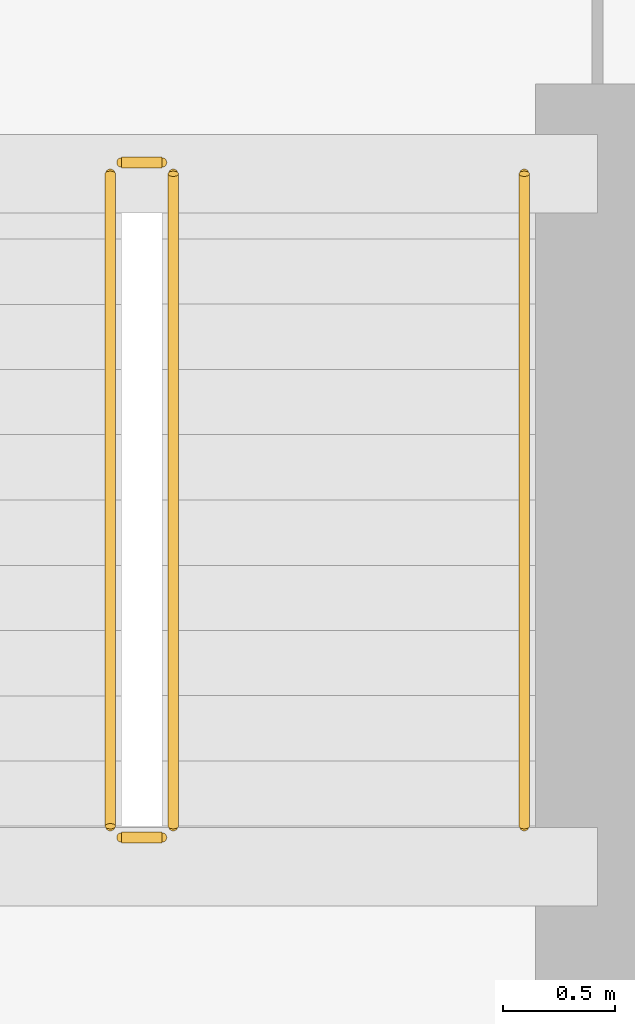
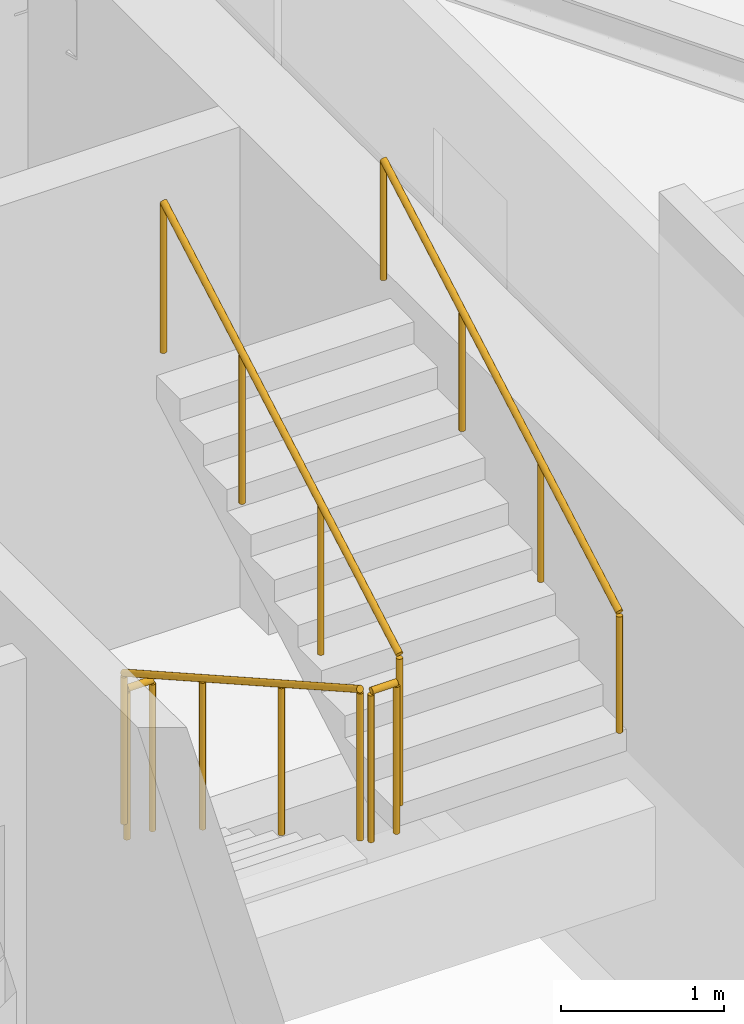
# One storey, part 9 of 9: 5 railings.
"""IFC4 building model written with IfcOpenShell, lengths in metres."""

from ifc_helpers import new_model, si_unit, direction, frame, origin, origin_2d, place, context, subcontext, project, spatial, circle, extrude, material, type_object, element, save


model = new_model("IFC4")

# Units and contexts
model_context = context("Model", 3, precision=1e-05, world=origin(), true_north=direction((0.0, 1.0)))
body_context = subcontext(model_context, "Body", "Model", "MODEL_VIEW")
ifc_project = project(units=[si_unit("LENGTHUNIT", "METRE"), si_unit("AREAUNIT", "SQUARE_METRE"), si_unit("VOLUMEUNIT", "CUBIC_METRE"), si_unit("PLANEANGLEUNIT", "RADIAN"), si_unit("MASSUNIT", "GRAM", prefix="KILO")], contexts=[model_context])

# Site, building, storey
site_placement = place(None, origin())
site = spatial("IfcSite", under=ifc_project, at=site_placement, CompositionType="ELEMENT")
building_placement = place(site_placement, origin())
building = spatial("IfcBuilding", under=site, at=building_placement, Name="Calvemar Wedge Station Tower", CompositionType="ELEMENT")
storey_placement = place(building_placement, frame((0.0, 0.0, 274.5)))
storey = spatial("IfcBuildingStorey", under=building, at=storey_placement, Name="L70", CompositionType="ELEMENT", Elevation=274.5)

# Railings
ifc_material_1 = material(Name="Stainless steel AISI 316L", Category="steel")
railing_type_1 = type_object("IfcRailingType", Name="RL-HANDRAIL-920", PredefinedType="HANDRAIL", material=ifc_material_1)
railing_1_placement = place(storey_placement, frame((30.949951171875, 38.25, 1.963623046875)))
element("IfcRailing", 1, at=railing_1_placement, inside=storey, type_object=railing_type_1, Name="L70 ST-C2 stair handrail 2", PredefinedType="HANDRAIL", context=body_context, shape_type="SweptSolid", body=[
    extrude(circle(Radius=0.02392578125, at=origin_2d()), frame((0.0, 0.0, 0.89599609375), z_axis=(0.0, 0.870897200241, 0.491465224214), x_axis=(-1.0, 0.0, 0.0)), (0.0, 0.0, 1.0), 3.329833984375),
    extrude(circle(Radius=0.02099609375, at=origin_2d()), origin(), (0.0, 0.0, 1.0), 0.871826171875),
    extrude(circle(Radius=0.02099609375, at=origin_2d()), frame((0.0, 0.966552734375, 0.54541015625)), (0.0, 0.0, 1.0), 0.871826171875),
    extrude(circle(Radius=0.02099609375, at=origin_2d()), frame((0.0, 1.933349609375, 1.091064453125)), (0.0, 0.0, 1.0), 0.871826171875),
    extrude(circle(Radius=0.02099609375, at=origin_2d()), frame((0.0, 2.89990234375, 1.636474609375)), (0.0, 0.0, 1.0), 0.871826171875),
])
ifc_material_2 = material(Name="Painted steel guardrail ASTM A500 Grade C", Category="steel")
railing_type_2 = type_object("IfcRailingType", Name="RL-STAIR-GUARD-1150", PredefinedType="GUARDRAIL", material=ifc_material_2)
railing_2_placement = place(storey_placement, frame((29.110107421875, 41.14990234375, 0.16357421875)))
element("IfcRailing", 2, at=railing_2_placement, inside=storey, type_object=railing_type_2, Name="L70 ST-C2 stair guard 1", PredefinedType="GUARDRAIL", context=body_context, shape_type="SweptSolid", body=[
    extrude(circle(Radius=0.02392578125, at=origin_2d()), frame((0.0, 0.0, 1.1259765625), z_axis=(0.0, -0.870897200241, 0.491465224214), x_axis=(1.0, 0.0, 0.0)), (0.0, 0.0, 1.0), 3.329833984375),
    extrude(circle(Radius=0.02099609375, at=origin_2d()), origin(), (0.0, 0.0, 1.0), 1.101806640625),
    extrude(circle(Radius=0.02099609375, at=origin_2d()), frame((0.0, -0.966552734375, 0.54541015625)), (0.0, 0.0, 1.0), 1.101806640625),
    extrude(circle(Radius=0.02099609375, at=origin_2d()), frame((0.0, -1.933349609375, 1.091064453125)), (0.0, 0.0, 1.0), 1.101806640625),
    extrude(circle(Radius=0.02099609375, at=origin_2d()), frame((0.0, -2.89990234375, 1.636474609375)), (0.0, 0.0, 1.0), 1.101806640625),
])
railing_3_placement = place(storey_placement, frame((29.159912109375, 38.199951171875, 1.800048828125)))
element("IfcRailing", 3, at=railing_3_placement, inside=storey, type_object=railing_type_2, Name="L70 ST-C2 stair guard 2", PredefinedType="GUARDRAIL", context=body_context, shape_type="SweptSolid", body=[
    extrude(circle(Radius=0.02392578125, at=origin_2d()), frame((0.0, 0.0, 1.1259765625), z_axis=(1.0, 0.0, 0.0), x_axis=(0.0, 1.0, 0.0)), (0.0, 0.0, 1.0), 0.18017578125),
    extrude(circle(Radius=0.02099609375, at=origin_2d()), origin(), (0.0, 0.0, 1.0), 1.101806640625),
    extrude(circle(Radius=0.02099609375, at=origin_2d()), frame((0.18017578125, 0.0, 0.0)), (0.0, 0.0, 1.0), 1.101806640625),
])
railing_4_placement = place(storey_placement, frame((29.389892578125, 38.25, 1.963623046875)))
element("IfcRailing", 4, at=railing_4_placement, inside=storey, type_object=railing_type_2, Name="L70 ST-C2 stair guard 3", PredefinedType="GUARDRAIL", context=body_context, shape_type="SweptSolid", body=[
    extrude(circle(Radius=0.02392578125, at=origin_2d()), frame((0.0, 0.0, 1.1259765625), z_axis=(0.0, 0.870897200241, 0.491465224214), x_axis=(-1.0, 0.0, 0.0)), (0.0, 0.0, 1.0), 3.329833984375),
    extrude(circle(Radius=0.02099609375, at=origin_2d()), origin(), (0.0, 0.0, 1.0), 1.101806640625),
    extrude(circle(Radius=0.02099609375, at=origin_2d()), frame((0.0, 0.966552734375, 0.54541015625)), (0.0, 0.0, 1.0), 1.101806640625),
    extrude(circle(Radius=0.02099609375, at=origin_2d()), frame((0.0, 1.933349609375, 1.091064453125)), (0.0, 0.0, 1.0), 1.101806640625),
    extrude(circle(Radius=0.02099609375, at=origin_2d()), frame((0.0, 2.89990234375, 1.636474609375)), (0.0, 0.0, 1.0), 1.101806640625),
])
railing_5_placement = place(storey_placement, frame((29.159912109375, 41.199951171875, 0.0)))
element("IfcRailing", 5, at=railing_5_placement, inside=storey, type_object=railing_type_2, Name="L70 ST-C2 stair guard 4", PredefinedType="GUARDRAIL", context=body_context, shape_type="SweptSolid", body=[
    extrude(circle(Radius=0.02392578125, at=origin_2d()), frame((0.0, 0.0, 1.1259765625), z_axis=(1.0, 0.0, 0.0), x_axis=(0.0, 1.0, 0.0)), (0.0, 0.0, 1.0), 0.18017578125),
    extrude(circle(Radius=0.02099609375, at=origin_2d()), origin(), (0.0, 0.0, 1.0), 1.101806640625),
    extrude(circle(Radius=0.02099609375, at=origin_2d()), frame((0.18017578125, 0.0, 0.0)), (0.0, 0.0, 1.0), 1.101806640625),
])

save(model, "model.ifc")
